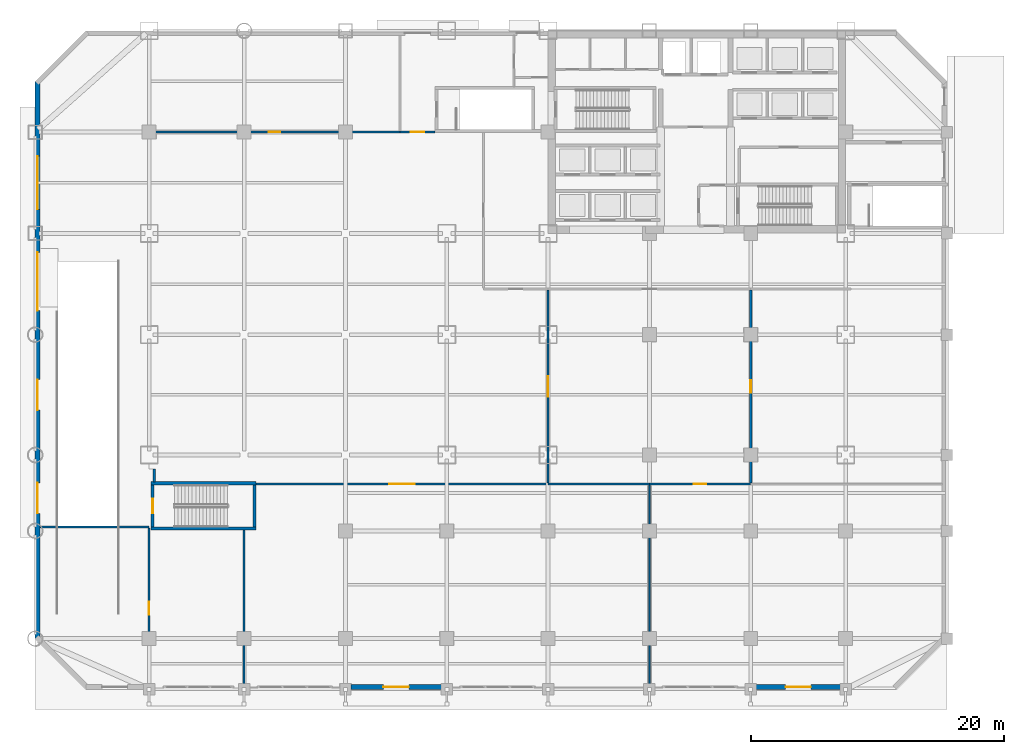
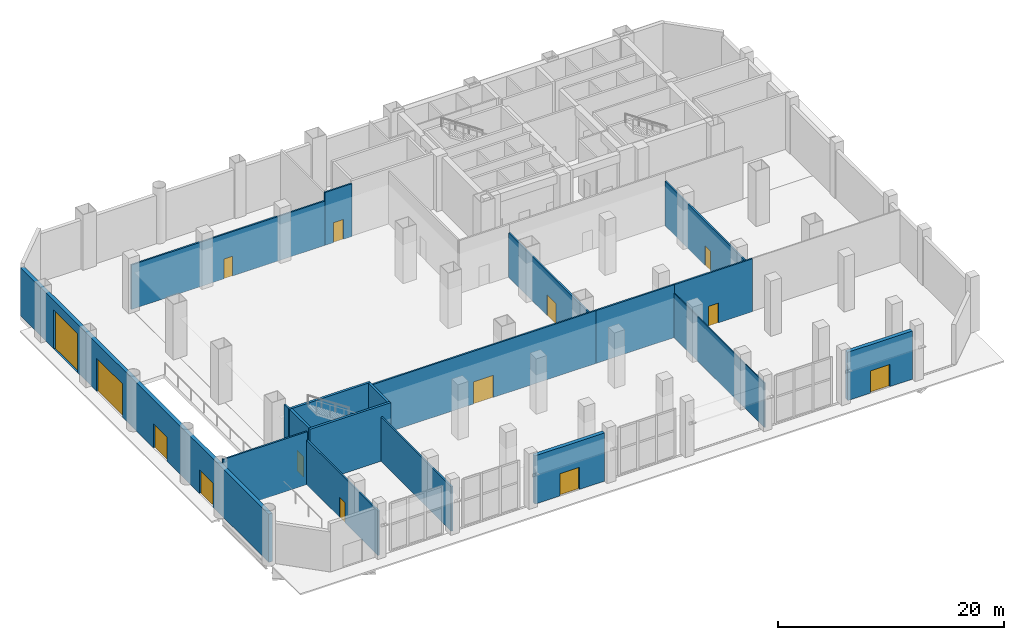
# One storey, part 11 of 19: 19 walls, 14 doors, 14 openings.
"""IFC4 building model written with IfcOpenShell, lengths in metres."""

import ifcopenshell
import ifcopenshell.guid

model = None  # the IFC model being written
_history = None  # IfcOwnerHistory: only IFC2X3 demands one
_inside = {}  # id of a spatial element -> (the spatial element, [elements in it])
_under = {}  # id of a project, library or spatial element -> (it, [spatial elements below it])
_declared = {}  # id of a project -> (the project, [libraries it declares])
_typed = {}  # id of a type object -> (the type object, [elements of that type])
_made_of = {}  # id of a material, layer set ... -> (it, [elements and type objects made of it])


def new_model(schema):
    """Start an empty IFC model of exactly this schema.

    Asked for "IFC4X3", IfcOpenShell would pick the latest addendum, in which some entities
    have other attributes; the version numbers below select the first issue.
    IFC2X3 requires an IfcOwnerHistory on every rooted entity: one is made here for all.
    """
    global model, _history
    if schema == "IFC4X3":
        model = ifcopenshell.file(schema_version=(4, 3, 0, 0))
    else:
        model = ifcopenshell.file(schema=schema)
    _inside.clear()
    _under.clear()
    _declared.clear()
    _typed.clear()
    _made_of.clear()
    _history = None
    if model.schema == "IFC2X3":
        org = make("IfcOrganization", Name="unknown")
        user = make(
            "IfcPersonAndOrganization",
            ThePerson=make("IfcPerson", FamilyName="unknown"),
            TheOrganization=org,
        )
        app = make(
            "IfcApplication",
            ApplicationDeveloper=org,
            Version="unknown",
            ApplicationFullName="unknown",
            ApplicationIdentifier="unknown",
        )
        _history = make(
            "IfcOwnerHistory",
            OwningUser=user,
            OwningApplication=app,
            ChangeAction="ADDED",
            CreationDate=0,
        )
    return model


def make(cls, **values):
    """One entity of the class cls with the attributes given. An attribute that is None is left unset."""
    return model.create_entity(
        cls, **{name: value for name, value in values.items() if value is not None}
    )


def rooted(cls, **values):
    """An entity with a GlobalId (a new one), such as an element, a storey or a relation."""
    return make(cls, GlobalId=ifcopenshell.guid.new(), OwnerHistory=_history, **values)


def si_unit(unit_type, name, prefix=None):
    """IfcSIUnit, for example si_unit("LENGTHUNIT", "METRE", prefix="MILLI")."""
    return make("IfcSIUnit", UnitType=unit_type, Prefix=prefix, Name=name)


def assignment(units):
    """IfcUnitAssignment: the units of a project."""
    return None if units is None else make("IfcUnitAssignment", Units=units)


def point(xyz):
    """IfcCartesianPoint."""
    return None if xyz is None else make("IfcCartesianPoint", Coordinates=xyz)


def direction(xyz):
    """IfcDirection."""
    return None if xyz is None else make("IfcDirection", DirectionRatios=xyz)


def frame(location, z_axis=None, x_axis=None):
    """IfcAxis2Placement3D, a coordinate frame: its origin and axes. An axis left out is left unset."""
    return make(
        "IfcAxis2Placement3D",
        Location=point(location),
        Axis=direction(z_axis),
        RefDirection=direction(x_axis),
    )


def frame_2d(location, x_axis=None):
    """IfcAxis2Placement2D, a coordinate frame in the plane: its origin and x axis."""
    return make(
        "IfcAxis2Placement2D", Location=point(location), RefDirection=direction(x_axis)
    )


def origin():
    """The frame at (0, 0, 0) with its axes left unset."""
    return frame((0.0, 0.0, 0.0))


def place(relative_to, where):
    """IfcLocalPlacement: puts the frame where relative to a parent placement (None: the world)."""
    return make(
        "IfcLocalPlacement", PlacementRelTo=relative_to, RelativePlacement=where
    )


def context(
    kind, dimensions, precision=None, world=None, true_north=None, identifier=None
):
    """IfcGeometricRepresentationContext, for example the 3D "Model" context."""
    return make(
        "IfcGeometricRepresentationContext",
        ContextIdentifier=identifier,
        ContextType=kind,
        CoordinateSpaceDimension=dimensions,
        Precision=precision,
        WorldCoordinateSystem=world,
        TrueNorth=true_north,
    )


def subcontext(parent, identifier, kind, view, scale=None):
    """IfcGeometricRepresentationSubContext, for example "Body" below "Model"."""
    return make(
        "IfcGeometricRepresentationSubContext",
        ContextIdentifier=identifier,
        ContextType=kind,
        ParentContext=parent,
        TargetScale=scale,
        TargetView=view,
    )


def project(units=None, contexts=None):
    """IfcProject with its units and contexts."""
    return rooted(
        "IfcProject",
        Name="project",
        RepresentationContexts=contexts,
        UnitsInContext=assignment(units),
    )


def spatial(cls, under=None, at=None, **own):
    """A site, building, storey or space (cls), placed at a placement, below another one or the project."""
    s = rooted(cls, ObjectPlacement=at, **own)
    if under is not None:
        _under.setdefault(under.id(), (under, []))[1].append(s)
    return s


def profile(cls, at=None, kind="AREA", **sizes):
    """A parametric profile (cls). Its sizes go by their IFC names, for example OverallWidth=200.0."""
    return make(cls, ProfileType=kind, Position=at, **sizes)


def rectangle(**sizes):
    """IfcRectangleProfileDef."""
    return profile("IfcRectangleProfileDef", **sizes)


def extrude(swept, where, along, depth):
    """IfcExtrudedAreaSolid: the profile swept, set in the frame where, extruded along a direction by depth."""
    return make(
        "IfcExtrudedAreaSolid",
        SweptArea=swept,
        Position=where,
        ExtrudedDirection=direction(along),
        Depth=depth,
    )


def shape(context_of_items, identifier, shape_type, items):
    """IfcShapeRepresentation: the items that make up one representation, for example the "Body"."""
    return make(
        "IfcShapeRepresentation",
        ContextOfItems=context_of_items,
        RepresentationIdentifier=identifier,
        RepresentationType=shape_type,
        Items=items,
    )


def material(Name=None, Category=None):
    """IfcMaterial."""
    return make("IfcMaterial", Name=Name, Category=Category)


def layer(
    of_material, thickness, ventilated=None, Name=None, Category=None, Priority=None
):
    """IfcMaterialLayer: one layer of a wall or slab, of a material (None: an air gap)."""
    return make(
        "IfcMaterialLayer",
        Material=of_material,
        LayerThickness=thickness,
        IsVentilated=ventilated,
        Name=Name,
        Category=Category,
        Priority=Priority,
    )


def layer_set(layers, Name=None):
    """IfcMaterialLayerSet."""
    return make("IfcMaterialLayerSet", MaterialLayers=layers, LayerSetName=Name)


def made_of(thing, what):
    """Note that an element or type object is made of a material, layer set ...; save() writes the relation."""
    if what is not None:
        _made_of.setdefault(what.id(), (what, []))[1].append(thing)
    return thing


def type_object(cls, material=None, **own):
    """A type object (cls), such as IfcWallType, which elements share."""
    return made_of(rooted(cls, **own), material)


def element(
    cls,
    number,
    at=None,
    inside=None,
    cuts=None,
    type_object=None,
    material=None,
    context=None,
    identifier="Body",
    shape_type=None,
    held_by="IfcProductDefinitionShape",
    body=None,
    shapes=None,
    **own,
):
    """One element of the class cls, such as IfcWall. Its Tag is "e" and its number.

    at: its placement. inside: the storey or other place that contains it. cuts: it is an
    opening in that element (IfcRelVoidsElement). A single representation is given by context,
    identifier, shape_type and body (its items); several are given by shapes. held_by: the class
    of the entity that holds the representations. save() writes the other relations.
    """
    e = rooted(cls, Tag="e%d" % number, ObjectPlacement=at, **own)
    if body is not None:
        shapes = [shape(context, identifier, shape_type, body)]
    if shapes is not None:
        e.Representation = make(held_by, Representations=shapes)
    if inside is not None:
        _inside.setdefault(inside.id(), (inside, []))[1].append(e)
    if cuts is not None:
        rooted(
            "IfcRelVoidsElement", RelatingBuildingElement=cuts, RelatedOpeningElement=e
        )
    if type_object is not None:
        _typed.setdefault(type_object.id(), (type_object, []))[1].append(e)
    return made_of(e, material)


def fill(opening, filler):
    """IfcRelFillsElement: the door or window that sits in an opening."""
    return rooted(
        "IfcRelFillsElement",
        RelatingOpeningElement=opening,
        RelatedBuildingElement=filler,
    )


def aggregate(whole, parts):
    """IfcRelAggregates: a whole, such as a stair, and the parts it consists of."""
    return rooted("IfcRelAggregates", RelatingObject=whole, RelatedObjects=parts)


def save(model, path):
    """Write the relations noted so far, then the file.

    IfcRelAggregates (storeys below a building ...), IfcRelContainedInSpatialStructure (elements
    in a storey), IfcRelDefinesByType, IfcRelAssociatesMaterial and IfcRelDeclares: one each for
    every whole, place, type object, material and project.
    """
    for whole, parts in _under.values():
        aggregate(whole, parts)
    for where, things in _inside.values():
        rooted(
            "IfcRelContainedInSpatialStructure",
            RelatedElements=things,
            RelatingStructure=where,
        )
    for kind, things in _typed.values():
        rooted("IfcRelDefinesByType", RelatedObjects=things, RelatingType=kind)
    for what, things in _made_of.values():
        rooted("IfcRelAssociatesMaterial", RelatedObjects=things, RelatingMaterial=what)
    for by, libraries in _declared.values():
        rooted("IfcRelDeclares", RelatingContext=by, RelatedDefinitions=libraries)
    model.write(path)


model = new_model("IFC4")

# Units and contexts
model_context = context("Model", 3, precision=1e-05, world=origin(), true_north=direction((0.0, 1.0)))
body_context = subcontext(model_context, "Body", "Model", "MODEL_VIEW")
ifc_project = project(units=[si_unit("LENGTHUNIT", "METRE"), si_unit("AREAUNIT", "SQUARE_METRE"), si_unit("VOLUMEUNIT", "CUBIC_METRE"), si_unit("PLANEANGLEUNIT", "RADIAN"), si_unit("MASSUNIT", "GRAM", prefix="KILO")], contexts=[model_context])

# Site, building, storey
site_placement = place(None, origin())
site = spatial("IfcSite", under=ifc_project, at=site_placement, CompositionType="ELEMENT")
building_placement = place(site_placement, origin())
building = spatial("IfcBuilding", under=site, at=building_placement, Name="Qianrong Seaharbour Tower", CompositionType="ELEMENT")
storey_placement = place(building_placement, origin())
storey = spatial("IfcBuildingStorey", under=building, at=storey_placement, Name="L01", CompositionType="ELEMENT", Elevation=0.0)

# Walls
ifc_material_1 = material(Name="Fire-rated acoustic gypsum board partition")
ifc_layer_1 = layer(ifc_material_1, 0.1650390625)
ifc_layer_set_1 = layer_set([ifc_layer_1], Name="Fire-rated acoustic gypsum board partition")
wall_type_1 = type_object("IfcWallType", Name="WALL-CORR-PART-165", PredefinedType="PARTITIONING", material=ifc_layer_set_1)
wall_1_placement = place(storey_placement, frame((9.39990234375, 17.39990234375, 0.0), z_axis=(0.0, 0.0, 1.0), x_axis=(0.0, -1.0, 0.0)))
element("IfcWall", 1, at=wall_1_placement, inside=storey, type_object=wall_type_1, Name="L01 Interior Partition Wall 013", PredefinedType="PARTITIONING", context=body_context, shape_type="SweptSolid", body=[
    extrude(rectangle(XDim=1.017822265625, YDim=0.1650390625, at=frame_2d((0.5087890625, 0.0))), origin(), (0.0, 0.0, 1.0), 5.719970703125),
])
wall_2_placement = place(storey_placement, frame((9.0, 12.800048828125, 0.0), z_axis=(0.0, 0.0, 1.0), x_axis=(-1.0, 0.0, 0.0)))
element("IfcWall", 2, at=wall_2_placement, inside=storey, type_object=wall_type_1, Name="L01 Interior Partition Wall 014", PredefinedType="PARTITIONING", context=body_context, shape_type="SweptSolid", body=[
    extrude(rectangle(XDim=8.6279296875, YDim=0.1650390625, at=frame_2d((4.31396484375, 0.0))), origin(), (0.0, 0.0, 1.0), 5.719970703125),
])

# Wall, opening, door
wall_3_placement = place(storey_placement, frame((31.56005859375, 44.0, 0.0), z_axis=(0.0, 0.0, 1.0), x_axis=(-1.0, 0.0, 0.0)))
wall_3 = element("IfcWall", 3, at=wall_3_placement, inside=storey, type_object=wall_type_1, Name="L01 Interior Partition Wall 015", PredefinedType="PARTITIONING", context=body_context, shape_type="SweptSolid", body=[
    extrude(rectangle(XDim=2.760009765625, YDim=0.1650390625, at=frame_2d((1.3798828125, 0.0))), origin(), (0.0, 0.0, 1.0), 5.719970703125),
])
opening_1_placement = place(wall_3_placement, frame((0.85498046875, 0.0, 0.0)))
opening_1 = element("IfcOpeningElement", 4, at=opening_1_placement, cuts=wall_3, Name="Opening DC-01", PredefinedType="OPENING", context=body_context, shape_type="SweptSolid", body=[
    extrude(rectangle(XDim=1.050048828125, YDim=2.14990234375, at=frame_2d((0.52490234375, 1.074951171875))), frame((0.0, 0.092529296875, 0.0), z_axis=(0.0, -1.0, 0.0), x_axis=(1.0, 0.0, 0.0)), (0.0, 0.0, 1.0), 0.18505859375),
])
ifc_material_2 = material(Name="Acoustic timber and galvanized steel fire door assembly", Category="steel")
door_type_1 = type_object("IfcDoorType", Name="DOOR-CORR-FD60-1050x2150", OperationType="NOTDEFINED", PredefinedType="DOOR", material=ifc_material_2)
door_1_placement = place(opening_1_placement, origin())
door_1 = element("IfcDoor", 5, at=door_1_placement, inside=storey, type_object=door_type_1, Name="L01 Basement Exit Passage North Door", OperationType="SINGLE_SWING_LEFT", OverallHeight=2.14990234375, OverallWidth=1.050048828125, PredefinedType="DOOR", context=body_context, shape_type="SweptSolid", body=[
    extrude(rectangle(XDim=1.050048828125, YDim=2.14990234375, at=frame_2d((0.52490234375, 1.074951171875))), frame((0.0, 0.02490234375, 0.0), z_axis=(0.0, -1.0, 0.0), x_axis=(1.0, 0.0, 0.0)), (0.0, 0.0, 1.0), 0.050048828125),
])
fill(opening_1, door_1)

wall_4_placement = place(storey_placement, frame((40.5, 31.525390625, 0.0), z_axis=(0.0, 0.0, 1.0), x_axis=(0.0, -1.0, 0.0)))
wall_4 = element("IfcWall", 6, at=wall_4_placement, inside=storey, type_object=wall_type_1, Name="L01 Interior Partition Wall 022", PredefinedType="PARTITIONING", context=body_context, shape_type="SweptSolid", body=[
    extrude(rectangle(XDim=15.2509765625, YDim=0.1650390625, at=frame_2d((7.62548828125, 0.0))), origin(), (0.0, 0.0, 1.0), 4.81201171875),
])
opening_2_placement = place(wall_4_placement, frame((6.825439453125, 0.0, 0.0)))
opening_2 = element("IfcOpeningElement", 7, at=opening_2_placement, cuts=wall_4, Name="Opening DL-01", PredefinedType="OPENING", context=body_context, shape_type="SweptSolid", body=[
    extrude(rectangle(XDim=1.60009765625, YDim=2.25, at=frame_2d((0.800048828125, 1.125))), frame((0.0, 0.092529296875, 0.0), z_axis=(0.0, -1.0, 0.0), x_axis=(1.0, 0.0, 0.0)), (0.0, 0.0, 1.0), 0.18505859375),
])
door_type_2 = type_object("IfcDoorType", Name="DOOR-LOBBY-PAIR-1600x2250", OperationType="DOUBLE_DOOR_SINGLE_SWING", PredefinedType="DOOR", material=ifc_material_2)
door_2_placement = place(opening_2_placement, origin())
door_2 = element("IfcDoor", 8, at=door_2_placement, inside=storey, type_object=door_type_2, Name="L01 Waterfront Concourse Door", OperationType="DOUBLE_DOOR_SINGLE_SWING", OverallHeight=2.25, OverallWidth=1.60009765625, PredefinedType="DOOR", context=body_context, shape_type="SweptSolid", body=[
    extrude(rectangle(XDim=1.60009765625, YDim=2.25, at=frame_2d((0.800048828125, 1.125))), frame((0.0, 0.02490234375, 0.0), z_axis=(0.0, -1.0, 0.0), x_axis=(1.0, 0.0, 0.0)), (0.0, 0.0, 1.0), 0.050048828125),
])
fill(opening_2, door_2)

wall_5_placement = place(storey_placement, frame((40.5, 16.199951171875, 0.0), z_axis=(0.0, 0.0, 1.0), x_axis=(-1.0, 0.0, 0.0)))
wall_5 = element("IfcWall", 9, at=wall_5_placement, inside=storey, type_object=wall_type_1, Name="L01 Interior Partition Wall 023", PredefinedType="PARTITIONING", context=body_context, shape_type="SweptSolid", body=[
    extrude(rectangle(XDim=23.06005859375, YDim=0.1650390625, at=frame_2d((11.530029296875, 0.0))), origin(), (0.0, 0.0, 1.0), 5.719970703125),
])
opening_3_placement = place(wall_5_placement, frame((10.530029296875, 0.0, 0.0)))
opening_3 = element("IfcOpeningElement", 10, at=opening_3_placement, cuts=wall_5, Name="Opening DA-01", PredefinedType="OPENING", context=body_context, shape_type="SweptSolid", body=[
    extrude(rectangle(XDim=2.0, YDim=2.39990234375, at=frame_2d((1.0, 1.199951171875))), frame((0.0, 0.092529296875, 0.0), z_axis=(0.0, -1.0, 0.0), x_axis=(1.0, 0.0, 0.0)), (0.0, 0.0, 1.0), 0.18505859375),
])
door_type_3 = type_object("IfcDoorType", Name="DOOR-AUD-PAIR-2000x2400", OperationType="DOUBLE_DOOR_SINGLE_SWING", PredefinedType="DOOR", material=ifc_material_2)
door_3_placement = place(opening_3_placement, origin())
door_3 = element("IfcDoor", 11, at=door_3_placement, inside=storey, type_object=door_type_3, Name="L01 Heritage Exhibition Hall Door", OperationType="DOUBLE_DOOR_SINGLE_SWING", OverallHeight=2.39990234375, OverallWidth=2.0, PredefinedType="DOOR", context=body_context, shape_type="SweptSolid", body=[
    extrude(rectangle(XDim=2.0, YDim=2.39990234375, at=frame_2d((1.0, 1.199951171875))), frame((0.0, 0.02490234375, 0.0), z_axis=(0.0, -1.0, 0.0), x_axis=(1.0, 0.0, 0.0)), (0.0, 0.0, 1.0), 0.050048828125),
])
fill(opening_3, door_3)

wall_6_placement = place(storey_placement, frame((9.0, 44.0, 0.0), z_axis=(0.0, 0.0, 1.0), x_axis=(1.0, 0.0, 0.0)))
wall_6 = element("IfcWall", 12, at=wall_6_placement, inside=storey, type_object=wall_type_1, Name="L01 Interior Partition Wall 024", PredefinedType="PARTITIONING", context=body_context, shape_type="SweptSolid", body=[
    extrude(rectangle(XDim=19.800048828125, YDim=0.1650390625, at=frame_2d((9.89990234375, 0.0))), origin(), (0.0, 0.0, 1.0), 4.81201171875),
])
opening_4_placement = place(wall_6_placement, frame((9.449951171875, 0.0, 0.0)))
opening_4 = element("IfcOpeningElement", 13, at=opening_4_placement, cuts=wall_6, Name="Opening DS-01", PredefinedType="OPENING", context=body_context, shape_type="SweptSolid", body=[
    extrude(rectangle(XDim=0.89990234375, YDim=2.14990234375, at=frame_2d((0.449951171875, 1.074951171875))), frame((0.0, 0.092529296875, 0.0), z_axis=(0.0, -1.0, 0.0), x_axis=(1.0, 0.0, 0.0)), (0.0, 0.0, 1.0), 0.18505859375),
])
door_type_4 = type_object("IfcDoorType", Name="DOOR-STORE-900x2150", OperationType="NOTDEFINED", PredefinedType="DOOR", material=ifc_material_2)
door_4_placement = place(opening_4_placement, origin())
door_4 = element("IfcDoor", 14, at=door_4_placement, inside=storey, type_object=door_type_4, Name="L01 Corporate Mail and Courier Room Door", OperationType="SINGLE_SWING_RIGHT", OverallHeight=2.14990234375, OverallWidth=0.89990234375, PredefinedType="DOOR", context=body_context, shape_type="SweptSolid", body=[
    extrude(rectangle(XDim=0.89990234375, YDim=2.14990234375, at=frame_2d((0.449951171875, 1.074951171875))), frame((0.0, 0.02490234375, 0.0), z_axis=(0.0, -1.0, 0.0), x_axis=(1.0, 0.0, 0.0)), (0.0, 0.0, 1.0), 0.050048828125),
])
fill(opening_4, door_4)

wall_7_placement = place(storey_placement, frame((56.5, 31.525390625, 0.0), z_axis=(0.0, 0.0, 1.0), x_axis=(0.0, -1.0, 0.0)))
wall_7 = element("IfcWall", 15, at=wall_7_placement, inside=storey, type_object=wall_type_1, Name="L01 Interior Partition Wall 025", PredefinedType="PARTITIONING", context=body_context, shape_type="SweptSolid", body=[
    extrude(rectangle(XDim=15.2509765625, YDim=0.1650390625, at=frame_2d((7.62548828125, 0.0))), origin(), (0.0, 0.0, 1.0), 4.81201171875),
])
opening_5_placement = place(wall_7_placement, frame((7.12548828125, 0.0, 0.0)))
opening_5 = element("IfcOpeningElement", 16, at=opening_5_placement, cuts=wall_7, Name="Opening DO-01", PredefinedType="OPENING", context=body_context, shape_type="SweptSolid", body=[
    extrude(rectangle(XDim=1.0, YDim=2.14990234375, at=frame_2d((0.5, 1.074951171875))), frame((0.0, 0.092529296875, 0.0), z_axis=(0.0, -1.0, 0.0), x_axis=(1.0, 0.0, 0.0)), (0.0, 0.0, 1.0), 0.18505859375),
])
door_type_5 = type_object("IfcDoorType", Name="DOOR-OFFICE-1000x2150", OperationType="NOTDEFINED", PredefinedType="DOOR", material=ifc_material_2)
door_5_placement = place(opening_5_placement, origin())
door_5 = element("IfcDoor", 17, at=door_5_placement, inside=storey, type_object=door_type_5, Name="L01 Corporate Reception Hall Door", OperationType="SINGLE_SWING_LEFT", OverallHeight=2.14990234375, OverallWidth=1.0, PredefinedType="DOOR", context=body_context, shape_type="SweptSolid", body=[
    extrude(rectangle(XDim=1.0, YDim=2.14990234375, at=frame_2d((0.5, 1.074951171875))), frame((0.0, 0.02490234375, 0.0), z_axis=(0.0, -1.0, 0.0), x_axis=(1.0, 0.0, 0.0)), (0.0, 0.0, 1.0), 0.050048828125),
])
fill(opening_5, door_5)

# Wall
wall_8_placement = place(storey_placement, frame((48.5, 16.199951171875, 0.0), z_axis=(0.0, 0.0, 1.0), x_axis=(-1.0, 0.0, 0.0)))
element("IfcWall", 18, at=wall_8_placement, inside=storey, type_object=wall_type_1, Name="L01 Interior Partition Wall 026", PredefinedType="PARTITIONING", context=body_context, shape_type="SweptSolid", body=[
    extrude(rectangle(XDim=8.0, YDim=0.1650390625, at=frame_2d((4.0, 0.0))), origin(), (0.0, 0.0, 1.0), 5.719970703125),
])

# Wall, opening, door
wall_9_placement = place(storey_placement, frame((56.5, 16.199951171875, 0.0), z_axis=(0.0, 0.0, 1.0), x_axis=(-1.0, 0.0, 0.0)))
wall_9 = element("IfcWall", 19, at=wall_9_placement, inside=storey, type_object=wall_type_1, Name="L01 Interior Partition Wall 027", PredefinedType="PARTITIONING", context=body_context, shape_type="SweptSolid", body=[
    extrude(rectangle(XDim=8.0, YDim=0.1650390625, at=frame_2d((4.0, 0.0))), origin(), (0.0, 0.0, 1.0), 5.719970703125),
])
opening_6_placement = place(wall_9_placement, frame((3.5, 0.0, 0.0)))
opening_6 = element("IfcOpeningElement", 20, at=opening_6_placement, cuts=wall_9, Name="Opening DO-01", PredefinedType="OPENING", context=body_context, shape_type="SweptSolid", body=[
    extrude(rectangle(XDim=1.0, YDim=2.14990234375, at=frame_2d((0.5, 1.074951171875))), frame((0.0, 0.092529296875, 0.0), z_axis=(0.0, -1.0, 0.0), x_axis=(1.0, 0.0, 0.0)), (0.0, 0.0, 1.0), 0.18505859375),
])
door_6_placement = place(opening_6_placement, origin())
door_6 = element("IfcDoor", 21, at=door_6_placement, inside=storey, type_object=door_type_5, Name="L01 Promenade Retail Kiosk Door", OperationType="SINGLE_SWING_RIGHT", OverallHeight=2.14990234375, OverallWidth=1.0, PredefinedType="DOOR", context=body_context, shape_type="SweptSolid", body=[
    extrude(rectangle(XDim=1.0, YDim=2.14990234375, at=frame_2d((0.5, 1.074951171875))), frame((0.0, 0.02490234375, 0.0), z_axis=(0.0, -1.0, 0.0), x_axis=(1.0, 0.0, 0.0)), (0.0, 0.0, 1.0), 0.050048828125),
])
fill(opening_6, door_6)

# Wall
wall_10_placement = place(storey_placement, frame((16.5, 0.074951171875, 0.0), z_axis=(0.0, 0.0, 1.0), x_axis=(0.0, 1.0, 0.0)))
element("IfcWall", 22, at=wall_10_placement, inside=storey, type_object=wall_type_1, Name="L01 Interior Partition Wall 030", PredefinedType="PARTITIONING", context=body_context, shape_type="SweptSolid", body=[
    extrude(rectangle(XDim=12.4931640625, YDim=0.1650390625, at=frame_2d((6.24658203125, 0.0))), origin(), (0.0, 0.0, 1.0), 4.81201171875),
])

# Wall, opening, door
wall_11_placement = place(storey_placement, frame((9.0, 12.7255859375, 0.0), z_axis=(0.0, 0.0, 1.0), x_axis=(0.0, -1.0, 0.0)))
wall_11 = element("IfcWall", 23, at=wall_11_placement, inside=storey, type_object=wall_type_1, Name="L01 Interior Partition Wall 031", PredefinedType="PARTITIONING", context=body_context, shape_type="SweptSolid", body=[
    extrude(rectangle(XDim=12.650634765625, YDim=0.1650390625, at=frame_2d((6.3251953125, 0.0))), origin(), (0.0, 0.0, 1.0), 4.81201171875),
])
opening_7_placement = place(wall_11_placement, frame((5.8251953125, 0.0, 0.0)))
opening_7 = element("IfcOpeningElement", 24, at=opening_7_placement, cuts=wall_11, Name="Opening DO-01", PredefinedType="OPENING", context=body_context, shape_type="SweptSolid", body=[
    extrude(rectangle(XDim=1.0, YDim=2.14990234375, at=frame_2d((0.5, 1.074951171875))), frame((0.0, 0.092529296875, 0.0), z_axis=(0.0, -1.0, 0.0), x_axis=(1.0, 0.0, 0.0)), (0.0, 0.0, 1.0), 0.18505859375),
])
door_7_placement = place(opening_7_placement, origin())
door_7 = element("IfcDoor", 25, at=door_7_placement, inside=storey, type_object=door_type_5, Name="L01 Security Operations Office Door", OperationType="SINGLE_SWING_LEFT", OverallHeight=2.14990234375, OverallWidth=1.0, PredefinedType="DOOR", context=body_context, shape_type="SweptSolid", body=[
    extrude(rectangle(XDim=1.0, YDim=2.14990234375, at=frame_2d((0.5, 1.074951171875))), frame((0.0, 0.02490234375, 0.0), z_axis=(0.0, -1.0, 0.0), x_axis=(1.0, 0.0, 0.0)), (0.0, 0.0, 1.0), 0.050048828125),
])
fill(opening_7, door_7)

# Wall
ifc_material_3 = material(Name="Demountable aluminium-framed acoustic office partition", Category="aluminium")
ifc_layer_2 = layer(ifc_material_3, 0.110107421875)
ifc_layer_set_2 = layer_set([ifc_layer_2], Name="Demountable aluminium-framed acoustic office partition")
wall_type_2 = type_object("IfcWallType", Name="WALL-DEMOUNT-110", PredefinedType="MOVABLE", material=ifc_layer_set_2)
wall_12_placement = place(storey_placement, frame((48.5, 16.12548828125, 0.0), z_axis=(0.0, 0.0, 1.0), x_axis=(0.0, -1.0, 0.0)))
element("IfcWall", 26, at=wall_12_placement, inside=storey, type_object=wall_type_2, Name="L01 Interior Partition Wall 029", PredefinedType="MOVABLE", context=body_context, shape_type="SweptSolid", body=[
    extrude(rectangle(XDim=16.050537109375, YDim=0.110107421875, at=frame_2d((8.025390625, 0.0))), origin(), (0.0, 0.0, 1.0), 4.81201171875),
])

# Wall, openings, doors
ifc_material_4 = material(Name="Natural honed granite dimension stone", Category="masonry")
ifc_layer_3 = layer(ifc_material_4, 0.3798828125)
ifc_layer_set_3 = layer_set([ifc_layer_3], Name="Natural honed granite dimension stone")
wall_type_3 = type_object("IfcWallType", Name="WALL-EXT-GRANITE-380", PredefinedType="SOLIDWALL", material=ifc_layer_set_3)
wall_13_placement = place(storey_placement, frame((0.18994140625, 4.0, 0.0), z_axis=(0.0, 0.0, 1.0), x_axis=(0.0, 1.0, 0.0)))
wall_13 = element("IfcWall", 27, at=wall_13_placement, inside=storey, type_object=wall_type_3, Name="L01 Exterior Masonry Facade Wall WEST_TIP", PredefinedType="SOLIDWALL", context=body_context, shape_type="SweptSolid", body=[
    extrude(rectangle(XDim=44.0, YDim=0.3798828125, at=frame_2d((22.0, 0.0))), origin(), (0.0, 0.0, 1.0), 5.219970703125),
])
opening_8_placement = place(wall_13_placement, frame((25.89990234375, 0.0, 0.0)))
opening_8 = element("IfcOpeningElement", 28, at=opening_8_placement, cuts=wall_13, Name="Opening VG-01", PredefinedType="OPENING", context=body_context, shape_type="SweptSolid", body=[
    extrude(rectangle(XDim=4.60009765625, YDim=3.60009765625, at=frame_2d((2.300048828125, 1.800048828125))), frame((0.0, 0.199951171875, 0.0), z_axis=(0.0, -1.0, 0.0), x_axis=(1.0, 0.0, 0.0)), (0.0, 0.0, 1.0), 0.39990234375),
])
opening_9_placement = place(wall_13_placement, frame((33.89990234375, 0.0, 0.0)))
opening_9 = element("IfcOpeningElement", 29, at=opening_9_placement, cuts=wall_13, Name="Opening VG-02", PredefinedType="OPENING", context=body_context, shape_type="SweptSolid", body=[
    extrude(rectangle(XDim=4.199951171875, YDim=4.199951171875, at=frame_2d((2.10009765625, 2.10009765625))), frame((0.0, 0.199951171875, 0.0), z_axis=(0.0, -1.0, 0.0), x_axis=(1.0, 0.0, 0.0)), (0.0, 0.0, 1.0), 0.39990234375),
])
opening_10_placement = place(wall_13_placement, frame((9.89990234375, 0.0, 0.0)))
opening_10 = element("IfcOpeningElement", 30, at=opening_10_placement, cuts=wall_13, Name="Opening VG-03", PredefinedType="OPENING", context=body_context, shape_type="SweptSolid", body=[
    extrude(rectangle(XDim=2.39990234375, YDim=2.60009765625, at=frame_2d((1.199951171875, 1.300048828125))), frame((0.0, 0.199951171875, 0.0), z_axis=(0.0, -1.0, 0.0), x_axis=(1.0, 0.0, 0.0)), (0.0, 0.0, 1.0), 0.39990234375),
])
opening_11_placement = place(wall_13_placement, frame((18.050048828125, 0.0, 0.0)))
opening_11 = element("IfcOpeningElement", 31, at=opening_11_placement, cuts=wall_13, Name="Opening VG-03", PredefinedType="OPENING", context=body_context, shape_type="SweptSolid", body=[
    extrude(rectangle(XDim=2.39990234375, YDim=2.60009765625, at=frame_2d((1.199951171875, 1.300048828125))), frame((0.0, 0.199951171875, 0.0), z_axis=(0.0, -1.0, 0.0), x_axis=(1.0, 0.0, 0.0)), (0.0, 0.0, 1.0), 0.39990234375),
])
ifc_material_5 = material(Name="Heavy-duty anodised aluminium roller shutter gate", Category="aluminium")
door_type_6 = type_object("IfcDoorType", Name="DOOR-GATE-DOCK-4200x4200", OperationType="ROLLINGUP", PredefinedType="GATE", material=ifc_material_5)
door_8_placement = place(opening_9_placement, origin())
door_8 = element("IfcDoor", 32, at=door_8_placement, inside=storey, type_object=door_type_6, Name="Heavy Goods Loading Dock Roller Shutter Gate VG-02", OperationType="ROLLINGUP", OverallHeight=4.199951171875, OverallWidth=4.199951171875, PredefinedType="GATE", context=body_context, shape_type="SweptSolid", body=[
    extrude(rectangle(XDim=4.199951171875, YDim=4.199951171875, at=frame_2d((2.10009765625, 2.10009765625))), frame((0.0, 0.02490234375, 0.0), z_axis=(0.0, -1.0, 0.0), x_axis=(1.0, 0.0, 0.0)), (0.0, 0.0, 1.0), 0.050048828125),
])
fill(opening_9, door_8)
door_type_7 = type_object("IfcDoorType", Name="DOOR-GATE-VEH-4600x3600", OperationType="ROLLINGUP", PredefinedType="GATE", material=ifc_material_5)
door_9_placement = place(opening_8_placement, origin())
door_9 = element("IfcDoor", 33, at=door_9_placement, inside=storey, type_object=door_type_7, Name="Car Park Vehicular Ramp Roller Shutter Gate VG-01", OperationType="ROLLINGUP", OverallHeight=3.60009765625, OverallWidth=4.60009765625, PredefinedType="GATE", context=body_context, shape_type="SweptSolid", body=[
    extrude(rectangle(XDim=4.60009765625, YDim=3.60009765625, at=frame_2d((2.300048828125, 1.800048828125))), frame((0.0, 0.02490234375, 0.0), z_axis=(0.0, -1.0, 0.0), x_axis=(1.0, 0.0, 0.0)), (0.0, 0.0, 1.0), 0.050048828125),
])
fill(opening_8, door_9)
door_type_8 = type_object("IfcDoorType", Name="DOOR-GATE-YARD-2400x2600", OperationType="DOUBLE_DOOR_SINGLE_SWING", PredefinedType="GATE", material=ifc_material_5)
door_10_placement = place(opening_10_placement, origin())
door_10 = element("IfcDoor", 34, at=door_10_placement, inside=storey, type_object=door_type_8, Name="L01 West Stair Vestibule Exit Door VG-03", OperationType="DOUBLE_DOOR_SINGLE_SWING", OverallHeight=2.60009765625, OverallWidth=2.39990234375, PredefinedType="GATE", context=body_context, shape_type="SweptSolid", body=[
    extrude(rectangle(XDim=2.39990234375, YDim=2.60009765625, at=frame_2d((1.199951171875, 1.300048828125))), frame((0.0, 0.02490234375, 0.0), z_axis=(0.0, -1.0, 0.0), x_axis=(1.0, 0.0, 0.0)), (0.0, 0.0, 1.0), 0.050048828125),
])
fill(opening_10, door_10)
door_11_placement = place(opening_11_placement, origin())
door_11 = element("IfcDoor", 35, at=door_11_placement, inside=storey, type_object=door_type_8, Name="Service Apron Access Gate VG-04", OperationType="DOUBLE_DOOR_SINGLE_SWING", OverallHeight=2.60009765625, OverallWidth=2.39990234375, PredefinedType="GATE", context=body_context, shape_type="SweptSolid", body=[
    extrude(rectangle(XDim=2.39990234375, YDim=2.60009765625, at=frame_2d((1.199951171875, 1.300048828125))), frame((0.0, 0.02490234375, 0.0), z_axis=(0.0, -1.0, 0.0), x_axis=(1.0, 0.0, 0.0)), (0.0, 0.0, 1.0), 0.050048828125),
])
fill(opening_11, door_11)

# Wall, opening, door
wall_14_placement = place(storey_placement, frame((32.070068359375, 0.18994140625, 0.0), z_axis=(0.0, 0.0, 1.0), x_axis=(-1.0, 0.0, 0.0)))
wall_14 = element("IfcWall", 36, at=wall_14_placement, inside=storey, type_object=wall_type_3, Name="L01 Waterfront Colonnade Granite Wall 2", PredefinedType="SOLIDWALL", context=body_context, shape_type="SweptSolid", body=[
    extrude(rectangle(XDim=7.14013671875, YDim=0.3798828125, at=frame_2d((3.570068359375, 0.0))), origin(), (0.0, 0.0, 1.0), 5.219970703125),
])
opening_12_placement = place(wall_14_placement, frame((2.570068359375, 0.0, 0.0)))
opening_12 = element("IfcOpeningElement", 37, at=opening_12_placement, cuts=wall_14, Name="Opening EXD-1", PredefinedType="OPENING", context=body_context, shape_type="SweptSolid", body=[
    extrude(rectangle(XDim=2.0, YDim=2.39990234375, at=frame_2d((1.0, 1.199951171875))), frame((0.0, 0.199951171875, 0.0), z_axis=(0.0, -1.0, 0.0), x_axis=(1.0, 0.0, 0.0)), (0.0, 0.0, 1.0), 0.39990234375),
])
ifc_material_6 = material(Name="Insulated galvanized steel and laminated glass door assembly", Category="steel")
door_type_9 = type_object("IfcDoorType", Name="DOOR-EXT-EXIT-2000x2400", OperationType="DOUBLE_DOOR_SINGLE_SWING", PredefinedType="DOOR", material=ifc_material_6)
door_12_placement = place(opening_12_placement, origin())
door_12 = element("IfcDoor", 38, at=door_12_placement, inside=storey, type_object=door_type_9, Name="L01 Waterfront Concourse Exit Door EX-02", OperationType="DOUBLE_DOOR_SINGLE_SWING", OverallHeight=2.39990234375, OverallWidth=2.0, PredefinedType="DOOR", context=body_context, shape_type="SweptSolid", body=[
    extrude(rectangle(XDim=2.0, YDim=2.39990234375, at=frame_2d((1.0, 1.199951171875))), frame((0.0, 0.02490234375, 0.0), z_axis=(0.0, -1.0, 0.0), x_axis=(1.0, 0.0, 0.0)), (0.0, 0.0, 1.0), 0.050048828125),
])
fill(opening_12, door_12)

wall_15_placement = place(storey_placement, frame((63.570068359375, 0.18994140625, 0.0), z_axis=(0.0, 0.0, 1.0), x_axis=(-1.0, 0.0, 0.0)))
wall_15 = element("IfcWall", 39, at=wall_15_placement, inside=storey, type_object=wall_type_3, Name="L01 Waterfront Colonnade Granite Wall 3", PredefinedType="SOLIDWALL", context=body_context, shape_type="SweptSolid", body=[
    extrude(rectangle(XDim=6.64013671875, YDim=0.3798828125, at=frame_2d((3.320068359375, 0.0))), origin(), (0.0, 0.0, 1.0), 5.219970703125),
])
opening_13_placement = place(wall_15_placement, frame((2.320068359375, 0.0, 0.0)))
opening_13 = element("IfcOpeningElement", 40, at=opening_13_placement, cuts=wall_15, Name="Opening EXD-1", PredefinedType="OPENING", context=body_context, shape_type="SweptSolid", body=[
    extrude(rectangle(XDim=2.0, YDim=2.39990234375, at=frame_2d((1.0, 1.199951171875))), frame((0.0, 0.199951171875, 0.0), z_axis=(0.0, -1.0, 0.0), x_axis=(1.0, 0.0, 0.0)), (0.0, 0.0, 1.0), 0.39990234375),
])
door_13_placement = place(opening_13_placement, origin())
door_13 = element("IfcDoor", 41, at=door_13_placement, inside=storey, type_object=door_type_9, Name="L01 Waterfront Concourse Exit Door EX-03", OperationType="DOUBLE_DOOR_SINGLE_SWING", OverallHeight=2.39990234375, OverallWidth=2.0, PredefinedType="DOOR", context=body_context, shape_type="SweptSolid", body=[
    extrude(rectangle(XDim=2.0, YDim=2.39990234375, at=frame_2d((1.0, 1.199951171875))), frame((0.0, 0.02490234375, 0.0), z_axis=(0.0, -1.0, 0.0), x_axis=(1.0, 0.0, 0.0)), (0.0, 0.0, 1.0), 0.050048828125),
])
fill(opening_13, door_13)

# Walls
ifc_material_7 = material(Name="Concrete C50/60", Category="concrete")
ifc_layer_4 = layer(ifc_material_7, 0.239990234375)
ifc_layer_set_4 = layer_set([ifc_layer_4], Name="Concrete C50/60")
wall_type_4 = type_object("IfcWallType", Name="WALL-SHAFT-RC240", PredefinedType="SOLIDWALL", material=ifc_layer_set_4)
for number, where, z_axis, x_axis, name in (
    (42, (9.159912109375, 16.27001953125, 0.0), (0.0, 0.0, 1.0), (1.0, 0.0, 0.0), "L01 PST-3 Structural Stair Core Wall N"),
    (43, (17.43994140625, 12.679931640625, 0.0), (0.0, 0.0, 1.0), (-1.0, 0.0, 0.0), "L01 PST-3 Structural Stair Core Wall S"),
):
    element("IfcWall", number, at=place(storey_placement, frame(where, z_axis=z_axis, x_axis=x_axis)), inside=storey, type_object=wall_type_4, Name=name, PredefinedType="SOLIDWALL", context=body_context, shape_type="SweptSolid", body=[
        extrude(rectangle(XDim=8.280029296875, YDim=0.239990234375, at=frame_2d((4.14013671875, 0.0))), origin(), (0.0, 0.0, 1.0), 6.0),
    ])

# Wall, opening, door
wall_16_placement = place(storey_placement, frame((9.280029296875, 16.14990234375, 0.0), z_axis=(0.0, 0.0, 1.0), x_axis=(0.0, -1.0, 0.0)))
wall_16 = element("IfcWall", 44, at=wall_16_placement, inside=storey, type_object=wall_type_4, Name="L01 PST-3 Structural Stair Core Wall W", PredefinedType="SOLIDWALL", context=body_context, shape_type="SweptSolid", body=[
    extrude(rectangle(XDim=3.349853515625, YDim=0.239990234375, at=frame_2d((1.6748046875, 0.0))), origin(), (0.0, 0.0, 1.0), 6.0),
])
opening_14_placement = place(wall_16_placement, frame((1.10009765625, 0.0, 0.0)))
opening_14 = element("IfcOpeningElement", 45, at=opening_14_placement, cuts=wall_16, Name="Opening SD-01", PredefinedType="OPENING", context=body_context, shape_type="SweptSolid", body=[
    extrude(rectangle(XDim=1.14990234375, YDim=2.199951171875, at=frame_2d((0.574951171875, 1.10009765625))), frame((0.0, 0.1298828125, 0.0), z_axis=(0.0, -1.0, 0.0), x_axis=(1.0, 0.0, 0.0)), (0.0, 0.0, 1.0), 0.260009765625),
])
door_type_10 = type_object("IfcDoorType", Name="DOOR-STAIR-FD60-1150x2200", OperationType="NOTDEFINED", PredefinedType="DOOR", material=ifc_material_2)
door_14_placement = place(opening_14_placement, origin())
door_14 = element("IfcDoor", 46, at=door_14_placement, inside=storey, type_object=door_type_10, Name="L01 PST-3 Protected Stair Door", OperationType="SINGLE_SWING_RIGHT", OverallHeight=2.199951171875, OverallWidth=1.14990234375, PredefinedType="DOOR", context=body_context, shape_type="SweptSolid", body=[
    extrude(rectangle(XDim=1.14990234375, YDim=2.199951171875, at=frame_2d((0.574951171875, 1.10009765625))), frame((0.0, 0.02490234375, 0.0), z_axis=(0.0, -1.0, 0.0), x_axis=(1.0, 0.0, 0.0)), (0.0, 0.0, 1.0), 0.050048828125),
])
fill(opening_14, door_14)

# Wall
wall_17_placement = place(storey_placement, frame((17.320068359375, 12.800048828125, 0.0), z_axis=(0.0, 0.0, 1.0), x_axis=(0.0, 1.0, 0.0)))
element("IfcWall", 47, at=wall_17_placement, inside=storey, type_object=wall_type_4, Name="L01 PST-3 Structural Stair Core Wall E", PredefinedType="SOLIDWALL", context=body_context, shape_type="SweptSolid", body=[
    extrude(rectangle(XDim=3.349853515625, YDim=0.239990234375, at=frame_2d((1.6748046875, 0.0))), origin(), (0.0, 0.0, 1.0), 6.0),
])

save(model, "model.ifc")
